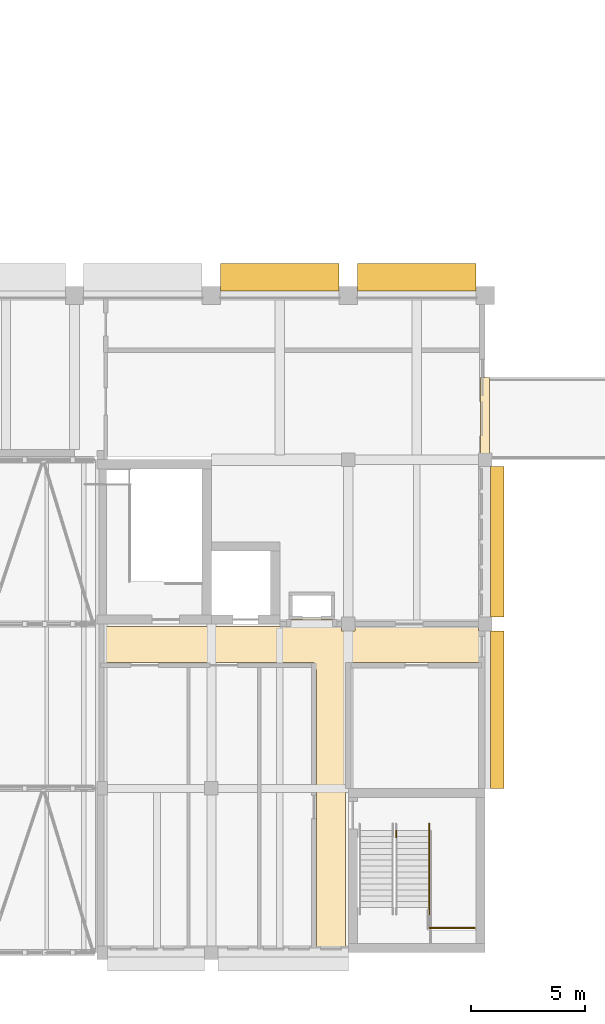
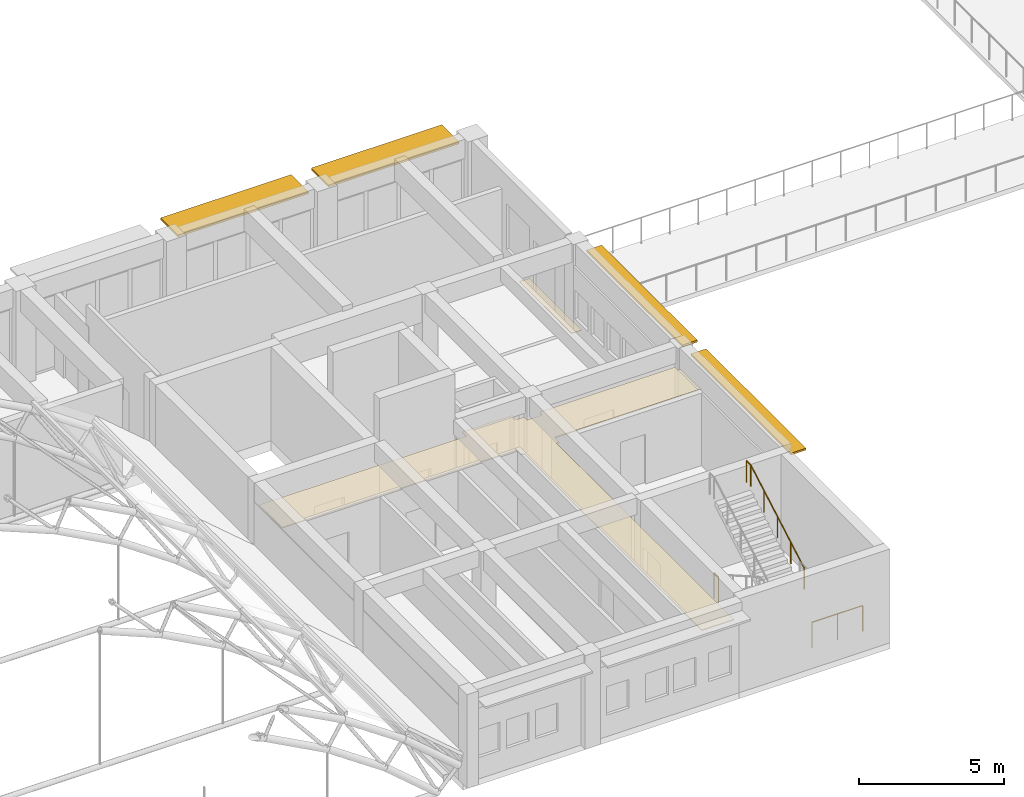
# One storey, part 94 of 101: 4 shading devices, 3 railings, 2 coverings.
"""IFC4 building model written with IfcOpenShell, lengths in metres."""

from ifc_helpers import new_model, si_unit, direction, frame, origin, origin_2d, place, context, subcontext, project, spatial, polyline, rectangle, circle, outline, extrude, material, layer, layer_set, type_object, element, save


model = new_model("IFC4")

# Units and contexts
model_context = context("Model", 3, precision=1e-05, world=origin(), true_north=direction((0.0, 1.0)))
body_context = subcontext(model_context, "Body", "Model", "MODEL_VIEW")
ifc_project = project(units=[si_unit("LENGTHUNIT", "METRE"), si_unit("AREAUNIT", "SQUARE_METRE"), si_unit("VOLUMEUNIT", "CUBIC_METRE"), si_unit("PLANEANGLEUNIT", "RADIAN"), si_unit("MASSUNIT", "GRAM", prefix="KILO")], contexts=[model_context])

# Site, building, storey
site_placement = place(None, origin())
site = spatial("IfcSite", under=ifc_project, at=site_placement, CompositionType="ELEMENT")
building_placement = place(site_placement, origin())
building = spatial("IfcBuilding", under=site, at=building_placement, Name="Laocheng Heights Fire and Rescue Headquarters", CompositionType="ELEMENT")
storey_placement = place(building_placement, frame((0.0, 0.0, 8.39990234375)))
storey = spatial("IfcBuildingStorey", under=building, at=storey_placement, Name="L02", CompositionType="ELEMENT", Elevation=8.39990234375)

# Covering
ifc_material_1 = material(Name="Stainless steel cover plate", Category="steel")
ifc_layer_1 = layer(ifc_material_1, 0.010009765625)
ifc_layer_set_1 = layer_set([ifc_layer_1], Name="Stainless steel cover plate")
covering_type_1 = type_object("IfcCoveringType", Name="MOVEMENT JOINT COVER PLATE 10", PredefinedType="FLOORING", material=ifc_layer_set_1)
covering_1_placement = place(storey_placement, frame((72.0, 23.39990234375, -0.009765625), z_axis=(0.0, 0.0, 1.0), x_axis=(1.0, 0.0, 0.0)))
element("IfcCovering", 1, at=covering_1_placement, inside=storey, type_object=covering_type_1, Name="Bridge B4 movement joint cover plate", PredefinedType="FLOORING", context=body_context, shape_type="SweptSolid", body=[
    extrude(rectangle(XDim=0.39990234375, YDim=3.60009765625, at=origin_2d()), origin(), (0.0, 0.0, 1.0), 0.010009765625),
])

# Shading devices
ifc_material_2 = material(Name="Precast concrete C40/50, light warm grey", Category="concrete")
ifc_layer_2 = layer(ifc_material_2, 0.080078125)
ifc_layer_set_2 = layer_set([ifc_layer_2], Name="Precast concrete C40/50, light warm grey")
shading_device_type_1 = type_object("IfcShadingDeviceType", Name="PRECAST BLADE 1200 x 80 BRISE-SOLEIL GALLERY NORTH", PredefinedType="JALOUSIE", material=ifc_layer_set_2)
for number, where, z_axis, x_axis, name in (
    (2, (63.0, 29.60009765625, 3.56005859375), (0.0, 0.0, 1.0), (1.0, 0.0, 0.0), "BRISE-SOLEIL GALLERY NORTH L02"),
    (3, (69.0, 29.60009765625, 3.56005859375), (0.0, 0.0, 1.0), (1.0, 0.0, 0.0), "BRISE-SOLEIL GALLERY NORTH L02"),
):
    element("IfcShadingDevice", number, at=place(storey_placement, frame(where, z_axis=z_axis, x_axis=x_axis)), inside=storey, type_object=shading_device_type_1, Name=name, PredefinedType="JALOUSIE", context=body_context, shape_type="SweptSolid", body=[
        extrude(rectangle(XDim=5.199951171875, YDim=1.199951171875, at=origin_2d()), origin(), (0.0, 0.0, 1.0), 0.080078125),
    ])
ifc_material_3 = material(Name="Precast concrete C40/50, light warm grey", Category="concrete")
ifc_layer_3 = layer(ifc_material_3, 0.080078125)
ifc_layer_set_3 = layer_set([ifc_layer_3], Name="Precast concrete C40/50, light warm grey")
shading_device_type_2 = type_object("IfcShadingDeviceType", Name="PRECAST BLADE 600 x 80 BLADE E FLANK EAST", PredefinedType="JALOUSIE", material=ifc_layer_set_3)
shading_device_1_placement = place(storey_placement, frame((72.52490234375, 10.64990234375, 3.4599609375), z_axis=(0.0, 0.0, 1.0), x_axis=(1.0, 0.0, 0.0)))
element("IfcShadingDevice", 4, at=shading_device_1_placement, inside=storey, type_object=shading_device_type_2, Name="BLADE E FLANK EAST L02", PredefinedType="JALOUSIE", context=body_context, shape_type="SweptSolid", body=[
    extrude(rectangle(XDim=0.60009765625, YDim=6.89990234375, at=origin_2d()), origin(), (0.0, 0.0, 1.0), 0.080078125),
])
shading_device_2_placement = place(storey_placement, frame((72.52490234375, 18.0, 3.4599609375), z_axis=(0.0, 0.0, 1.0), x_axis=(1.0, 0.0, 0.0)))
element("IfcShadingDevice", 5, at=shading_device_2_placement, inside=storey, type_object=shading_device_type_2, Name="BLADE E FLANK EAST L02", PredefinedType="JALOUSIE", context=body_context, shape_type="SweptSolid", body=[
    extrude(rectangle(XDim=0.60009765625, YDim=6.60009765625, at=origin_2d()), origin(), (0.0, 0.0, 1.0), 0.080078125),
])

# Railings
ifc_material_4 = material(Name="Steel Q355B", Category="steel")
railing_type_1 = type_object("IfcRailingType", Name="STAIR GUARD 1100", PredefinedType="GUARDRAIL", material=ifc_material_4)
railing_1_placement = place(storey_placement, frame((68.094970703125, 5.0498046875, 0.0)))
element("IfcRailing", 6, at=railing_1_placement, inside=storey, type_object=railing_type_1, Name="Stair E2 guard L02 well edge", PredefinedType="GUARDRAIL", context=body_context, shape_type="SweptSolid", body=[
    extrude(circle(Radius=0.02392578125, at=origin_2d()), frame((0.0, 0.0, 1.076171875), z_axis=(0.0, 1.0, 0.0), x_axis=(-1.0, 0.0, 0.0)), (0.0, 0.0, 1.0), 0.30029296875),
    extrude(circle(Radius=0.02099609375, at=origin_2d()), origin(), (0.0, 0.0, 1.0), 1.052001953125),
    extrude(circle(Radius=0.02099609375, at=origin_2d()), frame((0.0, 0.30029296875, 0.0)), (0.0, 0.0, 1.0), 1.052001953125),
])
railing_2_placement = place(storey_placement, frame((69.52490234375, 1.080078125, 0.0)))
element("IfcRailing", 7, at=railing_2_placement, inside=storey, type_object=railing_type_1, Name="Stair E2 guard L02 tongue edge", PredefinedType="GUARDRAIL", context=body_context, shape_type="SweptSolid", body=[
    extrude(circle(Radius=0.02392578125, at=origin_2d()), frame((0.0, 0.0, 1.076171875), z_axis=(1.0, 0.0, 0.0), x_axis=(0.0, 1.0, 0.0)), (0.0, 0.0, 1.0), 2.025146484375),
    extrude(circle(Radius=0.02099609375, at=origin_2d()), origin(), (0.0, 0.0, 1.0), 1.052001953125),
    extrude(circle(Radius=0.02099609375, at=origin_2d()), frame((1.0126953125, 0.0, 0.0)), (0.0, 0.0, 1.0), 1.052001953125),
    extrude(circle(Radius=0.02099609375, at=origin_2d()), frame((2.025146484375, 0.0, 0.0)), (0.0, 0.0, 1.0), 1.052001953125),
])
ifc_material_5 = material(Name="Steel Q355B", Category="steel")
railing_type_2 = type_object("IfcRailingType", Name="STAIR HANDRAIL 920", PredefinedType="HANDRAIL", material=ifc_material_5)
railing_3_placement = place(storey_placement, frame((69.554931640625, 1.669921875, 2.10009765625)))
element("IfcRailing", 8, at=railing_3_placement, inside=storey, type_object=railing_type_2, Name="Stair E2 handrail L02 4", PredefinedType="HANDRAIL", context=body_context, shape_type="SweptSolid", body=[
    extrude(circle(Radius=0.02392578125, at=origin_2d()), frame((0.0, 0.0, 0.89599609375), z_axis=(0.0, 0.868533742332, 0.495630041896), x_axis=(-1.0, 0.0, 0.0)), (0.0, 0.0, 1.0), 4.2373046875),
    extrude(circle(Radius=0.02392578125, at=origin_2d()), frame((0.0, 3.68017578125, 2.99609375), z_axis=(0.0, 1.0, 0.0), x_axis=(-1.0, 0.0, 0.0)), (0.0, 0.0, 1.0), 0.2998046875),
    extrude(circle(Radius=0.02099609375, at=origin_2d()), origin(), (0.0, 0.0, 1.0), 0.871826171875),
    extrude(circle(Radius=0.02099609375, at=origin_2d()), frame((0.0, 0.919921875, 0.52490234375)), (0.0, 0.0, 1.0), 0.871826171875),
    extrude(circle(Radius=0.02099609375, at=origin_2d()), frame((0.0, 1.840087890625, 1.050048828125)), (0.0, 0.0, 1.0), 0.871826171875),
    extrude(circle(Radius=0.02099609375, at=origin_2d()), frame((0.0, 2.76025390625, 1.5751953125)), (0.0, 0.0, 1.0), 0.871826171875),
    extrude(circle(Radius=0.02099609375, at=origin_2d()), frame((0.0, 3.68017578125, 2.10009765625)), (0.0, 0.0, 1.0), 0.871826171875),
    extrude(circle(Radius=0.02099609375, at=origin_2d()), frame((0.0, 3.97998046875, 2.10009765625)), (0.0, 0.0, 1.0), 0.871826171875),
])

# Covering
ifc_material_6 = material(Name="Mineral fibre ceiling tile")
ifc_layer_4 = layer(ifc_material_6, 0.0400390625)
ifc_layer_set_4 = layer_set([ifc_layer_4], Name="Mineral fibre ceiling tile")
covering_type_2 = type_object("IfcCoveringType", Name="SUSPENDED CEILING MINERAL FIBRE TILE", PredefinedType="CEILING", material=ifc_layer_set_4)
covering_2_placement = place(storey_placement, frame((0.0, 0.0, 3.0)))
element("IfcCovering", 9, at=covering_2_placement, inside=storey, type_object=covering_type_2, Name="Circulation E flank ceiling", PredefinedType="CEILING", context=body_context, shape_type="SweptSolid", body=[
    extrude(outline(polyline([(64.60009765625, 12.39990234375), (64.5, 12.39990234375), (64.5, 12.60009765625), (64.5, 12.719970703125), (55.14990234375, 12.719970703125), (55.14990234375, 14.300048828125), (63.39990234375, 14.300048828125), (63.39990234375, 14.39990234375), (63.39990234375, 14.60009765625), (63.5, 14.60009765625), (65.300048828125, 14.60009765625), (65.39990234375, 14.60009765625), (65.39990234375, 14.39990234375), (65.39990234375, 14.300048828125), (65.699951171875, 14.300048828125), (65.699951171875, 14.10009765625), (66.300048828125, 14.10009765625), (66.300048828125, 14.300048828125), (71.699951171875, 14.300048828125), (71.699951171875, 14.10009765625), (71.85009765625, 14.10009765625), (71.85009765625, 12.719970703125), (66.0, 12.719970703125), (66.0, 12.60009765625), (66.0, 12.39990234375), (65.8798828125, 12.39990234375), (65.8798828125, 0.14990234375), (64.60009765625, 0.14990234375), (64.60009765625, 12.39990234375)])), origin(), (0.0, 0.0, 1.0), 0.0400390625),
])

save(model, "model.ifc")
